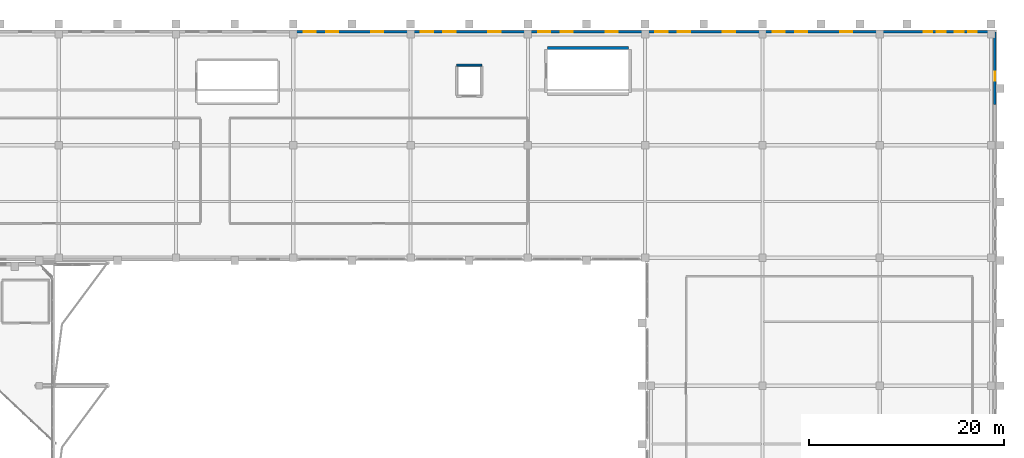
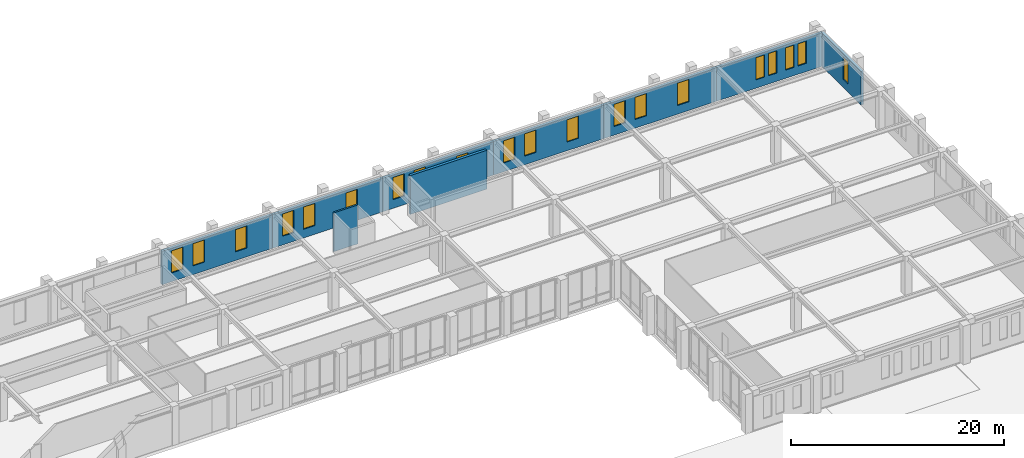
# One storey, part 67 of 79: 20 windows, 9 walls, 20 openings.
"""IFC4 building model written with IfcOpenShell, lengths in metres."""

from ifc_helpers import new_model, si_unit, derived_unit, direction, frame, frame_2d, origin, place, context, subcontext, project, spatial, rectangle, extrude, material, layer, layer_set, type_object, element, fill, save


model = new_model("IFC4")

# Units and contexts
model_context = context("Model", 3, precision=1e-05, world=origin(), true_north=direction((0.0, 1.0)))
body_context = subcontext(model_context, "Body", "Model", "MODEL_VIEW")
ifc_project = project(units=[si_unit("LENGTHUNIT", "METRE"), si_unit("AREAUNIT", "SQUARE_METRE"), si_unit("VOLUMEUNIT", "CUBIC_METRE"), si_unit("PLANEANGLEUNIT", "RADIAN"), si_unit("MASSUNIT", "GRAM", prefix="KILO"), derived_unit("THERMALTRANSMITTANCEUNIT", [(si_unit("MASSUNIT", "GRAM", prefix="KILO"), 1), (si_unit("TIMEUNIT", "SECOND"), -3), (si_unit("THERMODYNAMICTEMPERATUREUNIT", "KELVIN"), -1)])], contexts=[model_context])

# Site, building, storey
site_placement = place(None, origin())
site = spatial("IfcSite", under=ifc_project, at=site_placement, CompositionType="ELEMENT")
building_placement = place(site_placement, origin())
building = spatial("IfcBuilding", under=site, at=building_placement, Name="Valcora Ridge Arena", CompositionType="ELEMENT")
storey_placement = place(building_placement, frame((0.0, 0.0, 16.199951171875)))
storey = spatial("IfcBuildingStorey", under=building, at=storey_placement, Name="L03", CompositionType="ELEMENT", Elevation=16.199951171875)

# Wall, openings, windows
ifc_material_1 = material(Name="Bush-hammered Andean travertine on concrete backup C40/50", Category="masonry")
ifc_layer_1 = layer(ifc_material_1, 0.280029296875, Name="Bush-hammered Andean travertine on concrete backup C40/50")
ifc_layer_set_1 = layer_set([ifc_layer_1], Name="Bush-hammered Andean travertine on concrete backup C40/50")
wall_type_1 = type_object("IfcWallType", Name="TY-WALL-EW-TRV-28-38", PredefinedType="STANDARD", material=ifc_layer_set_1)
wall_1_placement = place(storey_placement, frame((120.0, 131.820068359375, 0.0), z_axis=(0.0, 0.0, 1.0), x_axis=(1.0, 0.0, 0.0)))
wall_1 = element("IfcWall", 1, at=wall_1_placement, inside=storey, type_object=wall_type_1, Name="EW-TRV-28-38 WAL-EW-0202", PredefinedType="STANDARD", context=body_context, shape_type="SweptSolid", body=[
    extrude(rectangle(XDim=12.0, YDim=0.280029296875, at=frame_2d((6.0, 0.0))), origin(), (0.0, 0.0, 1.0), 3.84814453125),
])
opening_1_placement = place(wall_1_placement, frame((1.050048828125, 0.0, 1.0)))
opening_1 = element("IfcOpeningElement", 2, at=opening_1_placement, cuts=wall_1, Name="Opening W-LAN-125X255", PredefinedType="OPENING", context=body_context, shape_type="SweptSolid", body=[
    extrude(rectangle(XDim=1.25, YDim=2.550048828125, at=frame_2d((0.625, 1.27490234375))), frame((0.0, 0.14990234375, 0.0), z_axis=(0.0, -1.0, 0.0), x_axis=(1.0, 0.0, 0.0)), (0.0, 0.0, 1.0), 0.300048828125),
])
opening_2_placement = place(wall_1_placement, frame((3.35009765625, 0.0, 1.0)))
opening_2 = element("IfcOpeningElement", 3, at=opening_2_placement, cuts=wall_1, Name="Opening W-LAN-125X255", PredefinedType="OPENING", context=body_context, shape_type="SweptSolid", body=[
    extrude(rectangle(XDim=1.25, YDim=2.550048828125, at=frame_2d((0.625, 1.27490234375))), frame((0.0, 0.14990234375, 0.0), z_axis=(0.0, -1.0, 0.0), x_axis=(1.0, 0.0, 0.0)), (0.0, 0.0, 1.0), 0.300048828125),
])
opening_3_placement = place(wall_1_placement, frame((7.949951171875, 0.0, 1.0)))
opening_3 = element("IfcOpeningElement", 4, at=opening_3_placement, cuts=wall_1, Name="Opening W-LAN-125X255", PredefinedType="OPENING", context=body_context, shape_type="SweptSolid", body=[
    extrude(rectangle(XDim=1.25, YDim=2.550048828125, at=frame_2d((0.625, 1.27490234375))), frame((0.0, 0.14990234375, 0.0), z_axis=(0.0, -1.0, 0.0), x_axis=(1.0, 0.0, 0.0)), (0.0, 0.0, 1.0), 0.300048828125),
])
ifc_material_2 = material(Name="Low-iron solar-control double glazing SHGC 0.28", Category="glass")
window_type_1 = type_object("IfcWindowType", Name="TY-WINDOW-W-LAN-125X255", PartitioningType="DOUBLE_PANEL_VERTICAL", PredefinedType="WINDOW", material=ifc_material_2)
window_1_placement = place(opening_1_placement, origin())
window_1 = element("IfcWindow", 5, at=window_1_placement, inside=storey, type_object=window_type_1, Name="W-LAN-125X255 WIN-EX-0608", OverallHeight=2.550048828125, OverallWidth=1.25, PartitioningType="DOUBLE_PANEL_VERTICAL", PredefinedType="WINDOW", context=body_context, shape_type="SweptSolid", body=[
    extrude(rectangle(XDim=1.25, YDim=2.550048828125, at=frame_2d((0.625, 1.27490234375))), frame((0.0, 0.030029296875, 0.0), z_axis=(0.0, -1.0, 0.0), x_axis=(1.0, 0.0, 0.0)), (0.0, 0.0, 1.0), 0.06005859375),
])
fill(opening_1, window_1)
window_2_placement = place(opening_2_placement, origin())
window_2 = element("IfcWindow", 6, at=window_2_placement, inside=storey, type_object=window_type_1, Name="W-LAN-125X255 WIN-EX-0609", OverallHeight=2.550048828125, OverallWidth=1.25, PartitioningType="DOUBLE_PANEL_VERTICAL", PredefinedType="WINDOW", context=body_context, shape_type="SweptSolid", body=[
    extrude(rectangle(XDim=1.25, YDim=2.550048828125, at=frame_2d((0.625, 1.27490234375))), frame((0.0, 0.030029296875, 0.0), z_axis=(0.0, -1.0, 0.0), x_axis=(1.0, 0.0, 0.0)), (0.0, 0.0, 1.0), 0.06005859375),
])
fill(opening_2, window_2)
window_3_placement = place(opening_3_placement, origin())
window_3 = element("IfcWindow", 7, at=window_3_placement, inside=storey, type_object=window_type_1, Name="W-LAN-125X255 WIN-EX-0610", OverallHeight=2.550048828125, OverallWidth=1.25, PartitioningType="DOUBLE_PANEL_VERTICAL", PredefinedType="WINDOW", context=body_context, shape_type="SweptSolid", body=[
    extrude(rectangle(XDim=1.25, YDim=2.550048828125, at=frame_2d((0.625, 1.27490234375))), frame((0.0, 0.030029296875, 0.0), z_axis=(0.0, -1.0, 0.0), x_axis=(1.0, 0.0, 0.0)), (0.0, 0.0, 1.0), 0.06005859375),
])
fill(opening_3, window_3)

wall_2_placement = place(storey_placement, frame((132.0, 131.820068359375, 0.0), z_axis=(0.0, 0.0, 1.0), x_axis=(1.0, 0.0, 0.0)))
wall_2 = element("IfcWall", 8, at=wall_2_placement, inside=storey, type_object=wall_type_1, Name="EW-TRV-28-38 WAL-EW-0203", PredefinedType="STANDARD", context=body_context, shape_type="SweptSolid", body=[
    extrude(rectangle(XDim=12.0, YDim=0.280029296875, at=frame_2d((6.0, 0.0))), origin(), (0.0, 0.0, 1.0), 3.84814453125),
])
opening_4_placement = place(wall_2_placement, frame((1.050048828125, 0.0, 1.0)))
opening_4 = element("IfcOpeningElement", 9, at=opening_4_placement, cuts=wall_2, Name="Opening W-LAN-125X255", PredefinedType="OPENING", context=body_context, shape_type="SweptSolid", body=[
    extrude(rectangle(XDim=1.25, YDim=2.550048828125, at=frame_2d((0.625, 1.27490234375))), frame((0.0, 0.14990234375, 0.0), z_axis=(0.0, -1.0, 0.0), x_axis=(1.0, 0.0, 0.0)), (0.0, 0.0, 1.0), 0.300048828125),
])
opening_5_placement = place(wall_2_placement, frame((3.35009765625, 0.0, 1.0)))
opening_5 = element("IfcOpeningElement", 10, at=opening_5_placement, cuts=wall_2, Name="Opening W-LAN-125X255", PredefinedType="OPENING", context=body_context, shape_type="SweptSolid", body=[
    extrude(rectangle(XDim=1.25, YDim=2.550048828125, at=frame_2d((0.625, 1.27490234375))), frame((0.0, 0.14990234375, 0.0), z_axis=(0.0, -1.0, 0.0), x_axis=(1.0, 0.0, 0.0)), (0.0, 0.0, 1.0), 0.300048828125),
])
opening_6_placement = place(wall_2_placement, frame((7.949951171875, 0.0, 1.0)))
opening_6 = element("IfcOpeningElement", 11, at=opening_6_placement, cuts=wall_2, Name="Opening W-LAN-125X255", PredefinedType="OPENING", context=body_context, shape_type="SweptSolid", body=[
    extrude(rectangle(XDim=1.25, YDim=2.550048828125, at=frame_2d((0.625, 1.27490234375))), frame((0.0, 0.14990234375, 0.0), z_axis=(0.0, -1.0, 0.0), x_axis=(1.0, 0.0, 0.0)), (0.0, 0.0, 1.0), 0.300048828125),
])
window_4_placement = place(opening_4_placement, origin())
window_4 = element("IfcWindow", 12, at=window_4_placement, inside=storey, type_object=window_type_1, Name="W-LAN-125X255 WIN-EX-0611", OverallHeight=2.550048828125, OverallWidth=1.25, PartitioningType="DOUBLE_PANEL_VERTICAL", PredefinedType="WINDOW", context=body_context, shape_type="SweptSolid", body=[
    extrude(rectangle(XDim=1.25, YDim=2.550048828125, at=frame_2d((0.625, 1.27490234375))), frame((0.0, 0.030029296875, 0.0), z_axis=(0.0, -1.0, 0.0), x_axis=(1.0, 0.0, 0.0)), (0.0, 0.0, 1.0), 0.06005859375),
])
fill(opening_4, window_4)
window_5_placement = place(opening_5_placement, origin())
window_5 = element("IfcWindow", 13, at=window_5_placement, inside=storey, type_object=window_type_1, Name="W-LAN-125X255 WIN-EX-0612", OverallHeight=2.550048828125, OverallWidth=1.25, PartitioningType="DOUBLE_PANEL_VERTICAL", PredefinedType="WINDOW", context=body_context, shape_type="SweptSolid", body=[
    extrude(rectangle(XDim=1.25, YDim=2.550048828125, at=frame_2d((0.625, 1.27490234375))), frame((0.0, 0.030029296875, 0.0), z_axis=(0.0, -1.0, 0.0), x_axis=(1.0, 0.0, 0.0)), (0.0, 0.0, 1.0), 0.06005859375),
])
fill(opening_5, window_5)
window_6_placement = place(opening_6_placement, origin())
window_6 = element("IfcWindow", 14, at=window_6_placement, inside=storey, type_object=window_type_1, Name="W-LAN-125X255 WIN-EX-0613", OverallHeight=2.550048828125, OverallWidth=1.25, PartitioningType="DOUBLE_PANEL_VERTICAL", PredefinedType="WINDOW", context=body_context, shape_type="SweptSolid", body=[
    extrude(rectangle(XDim=1.25, YDim=2.550048828125, at=frame_2d((0.625, 1.27490234375))), frame((0.0, 0.030029296875, 0.0), z_axis=(0.0, -1.0, 0.0), x_axis=(1.0, 0.0, 0.0)), (0.0, 0.0, 1.0), 0.06005859375),
])
fill(opening_6, window_6)

wall_3_placement = place(storey_placement, frame((144.0, 131.820068359375, 0.0), z_axis=(0.0, 0.0, 1.0), x_axis=(1.0, 0.0, 0.0)))
wall_3 = element("IfcWall", 15, at=wall_3_placement, inside=storey, type_object=wall_type_1, Name="EW-TRV-28-38 WAL-EW-0204", PredefinedType="STANDARD", context=body_context, shape_type="SweptSolid", body=[
    extrude(rectangle(XDim=12.0, YDim=0.280029296875, at=frame_2d((6.0, 0.0))), origin(), (0.0, 0.0, 1.0), 3.84814453125),
])
opening_7_placement = place(wall_3_placement, frame((1.050048828125, 0.0, 1.0)))
opening_7 = element("IfcOpeningElement", 16, at=opening_7_placement, cuts=wall_3, Name="Opening W-LAN-125X255", PredefinedType="OPENING", context=body_context, shape_type="SweptSolid", body=[
    extrude(rectangle(XDim=1.25, YDim=2.550048828125, at=frame_2d((0.625, 1.27490234375))), frame((0.0, 0.14990234375, 0.0), z_axis=(0.0, -1.0, 0.0), x_axis=(1.0, 0.0, 0.0)), (0.0, 0.0, 1.0), 0.300048828125),
])
opening_8_placement = place(wall_3_placement, frame((3.35009765625, 0.0, 1.0)))
opening_8 = element("IfcOpeningElement", 17, at=opening_8_placement, cuts=wall_3, Name="Opening W-LAN-125X255", PredefinedType="OPENING", context=body_context, shape_type="SweptSolid", body=[
    extrude(rectangle(XDim=1.25, YDim=2.550048828125, at=frame_2d((0.625, 1.27490234375))), frame((0.0, 0.14990234375, 0.0), z_axis=(0.0, -1.0, 0.0), x_axis=(1.0, 0.0, 0.0)), (0.0, 0.0, 1.0), 0.300048828125),
])
opening_9_placement = place(wall_3_placement, frame((7.949951171875, 0.0, 1.0)))
opening_9 = element("IfcOpeningElement", 18, at=opening_9_placement, cuts=wall_3, Name="Opening W-LAN-125X255", PredefinedType="OPENING", context=body_context, shape_type="SweptSolid", body=[
    extrude(rectangle(XDim=1.25, YDim=2.550048828125, at=frame_2d((0.625, 1.27490234375))), frame((0.0, 0.14990234375, 0.0), z_axis=(0.0, -1.0, 0.0), x_axis=(1.0, 0.0, 0.0)), (0.0, 0.0, 1.0), 0.300048828125),
])
window_7_placement = place(opening_7_placement, origin())
window_7 = element("IfcWindow", 19, at=window_7_placement, inside=storey, type_object=window_type_1, Name="W-LAN-125X255 WIN-EX-0614", OverallHeight=2.550048828125, OverallWidth=1.25, PartitioningType="DOUBLE_PANEL_VERTICAL", PredefinedType="WINDOW", context=body_context, shape_type="SweptSolid", body=[
    extrude(rectangle(XDim=1.25, YDim=2.550048828125, at=frame_2d((0.625, 1.27490234375))), frame((0.0, 0.030029296875, 0.0), z_axis=(0.0, -1.0, 0.0), x_axis=(1.0, 0.0, 0.0)), (0.0, 0.0, 1.0), 0.06005859375),
])
fill(opening_7, window_7)
window_8_placement = place(opening_8_placement, origin())
window_8 = element("IfcWindow", 20, at=window_8_placement, inside=storey, type_object=window_type_1, Name="W-LAN-125X255 WIN-EX-0615", OverallHeight=2.550048828125, OverallWidth=1.25, PartitioningType="DOUBLE_PANEL_VERTICAL", PredefinedType="WINDOW", context=body_context, shape_type="SweptSolid", body=[
    extrude(rectangle(XDim=1.25, YDim=2.550048828125, at=frame_2d((0.625, 1.27490234375))), frame((0.0, 0.030029296875, 0.0), z_axis=(0.0, -1.0, 0.0), x_axis=(1.0, 0.0, 0.0)), (0.0, 0.0, 1.0), 0.06005859375),
])
fill(opening_8, window_8)
window_9_placement = place(opening_9_placement, origin())
window_9 = element("IfcWindow", 21, at=window_9_placement, inside=storey, type_object=window_type_1, Name="W-LAN-125X255 WIN-EX-0616", OverallHeight=2.550048828125, OverallWidth=1.25, PartitioningType="DOUBLE_PANEL_VERTICAL", PredefinedType="WINDOW", context=body_context, shape_type="SweptSolid", body=[
    extrude(rectangle(XDim=1.25, YDim=2.550048828125, at=frame_2d((0.625, 1.27490234375))), frame((0.0, 0.030029296875, 0.0), z_axis=(0.0, -1.0, 0.0), x_axis=(1.0, 0.0, 0.0)), (0.0, 0.0, 1.0), 0.06005859375),
])
fill(opening_9, window_9)

wall_4_placement = place(storey_placement, frame((156.0, 131.820068359375, 0.0), z_axis=(0.0, 0.0, 1.0), x_axis=(1.0, 0.0, 0.0)))
wall_4 = element("IfcWall", 22, at=wall_4_placement, inside=storey, type_object=wall_type_1, Name="EW-TRV-28-38 WAL-EW-0205", PredefinedType="STANDARD", context=body_context, shape_type="SweptSolid", body=[
    extrude(rectangle(XDim=12.0, YDim=0.280029296875, at=frame_2d((6.0, 0.0))), origin(), (0.0, 0.0, 1.0), 3.84814453125),
])
opening_10_placement = place(wall_4_placement, frame((1.050048828125, 0.0, 1.0)))
opening_10 = element("IfcOpeningElement", 23, at=opening_10_placement, cuts=wall_4, Name="Opening W-LAN-125X255", PredefinedType="OPENING", context=body_context, shape_type="SweptSolid", body=[
    extrude(rectangle(XDim=1.25, YDim=2.550048828125, at=frame_2d((0.625, 1.27490234375))), frame((0.0, 0.14990234375, 0.0), z_axis=(0.0, -1.0, 0.0), x_axis=(1.0, 0.0, 0.0)), (0.0, 0.0, 1.0), 0.300048828125),
])
opening_11_placement = place(wall_4_placement, frame((3.35009765625, 0.0, 1.0)))
opening_11 = element("IfcOpeningElement", 24, at=opening_11_placement, cuts=wall_4, Name="Opening W-LAN-125X255", PredefinedType="OPENING", context=body_context, shape_type="SweptSolid", body=[
    extrude(rectangle(XDim=1.25, YDim=2.550048828125, at=frame_2d((0.625, 1.27490234375))), frame((0.0, 0.14990234375, 0.0), z_axis=(0.0, -1.0, 0.0), x_axis=(1.0, 0.0, 0.0)), (0.0, 0.0, 1.0), 0.300048828125),
])
opening_12_placement = place(wall_4_placement, frame((7.949951171875, 0.0, 1.0)))
opening_12 = element("IfcOpeningElement", 25, at=opening_12_placement, cuts=wall_4, Name="Opening W-LAN-125X255", PredefinedType="OPENING", context=body_context, shape_type="SweptSolid", body=[
    extrude(rectangle(XDim=1.25, YDim=2.550048828125, at=frame_2d((0.625, 1.27490234375))), frame((0.0, 0.14990234375, 0.0), z_axis=(0.0, -1.0, 0.0), x_axis=(1.0, 0.0, 0.0)), (0.0, 0.0, 1.0), 0.300048828125),
])
window_10_placement = place(opening_10_placement, origin())
window_10 = element("IfcWindow", 26, at=window_10_placement, inside=storey, type_object=window_type_1, Name="W-LAN-125X255 WIN-EX-0617", OverallHeight=2.550048828125, OverallWidth=1.25, PartitioningType="DOUBLE_PANEL_VERTICAL", PredefinedType="WINDOW", context=body_context, shape_type="SweptSolid", body=[
    extrude(rectangle(XDim=1.25, YDim=2.550048828125, at=frame_2d((0.625, 1.27490234375))), frame((0.0, 0.030029296875, 0.0), z_axis=(0.0, -1.0, 0.0), x_axis=(1.0, 0.0, 0.0)), (0.0, 0.0, 1.0), 0.06005859375),
])
fill(opening_10, window_10)
window_11_placement = place(opening_11_placement, origin())
window_11 = element("IfcWindow", 27, at=window_11_placement, inside=storey, type_object=window_type_1, Name="W-LAN-125X255 WIN-EX-0618", OverallHeight=2.550048828125, OverallWidth=1.25, PartitioningType="DOUBLE_PANEL_VERTICAL", PredefinedType="WINDOW", context=body_context, shape_type="SweptSolid", body=[
    extrude(rectangle(XDim=1.25, YDim=2.550048828125, at=frame_2d((0.625, 1.27490234375))), frame((0.0, 0.030029296875, 0.0), z_axis=(0.0, -1.0, 0.0), x_axis=(1.0, 0.0, 0.0)), (0.0, 0.0, 1.0), 0.06005859375),
])
fill(opening_11, window_11)
window_12_placement = place(opening_12_placement, origin())
window_12 = element("IfcWindow", 28, at=window_12_placement, inside=storey, type_object=window_type_1, Name="W-LAN-125X255 WIN-EX-0619", OverallHeight=2.550048828125, OverallWidth=1.25, PartitioningType="DOUBLE_PANEL_VERTICAL", PredefinedType="WINDOW", context=body_context, shape_type="SweptSolid", body=[
    extrude(rectangle(XDim=1.25, YDim=2.550048828125, at=frame_2d((0.625, 1.27490234375))), frame((0.0, 0.030029296875, 0.0), z_axis=(0.0, -1.0, 0.0), x_axis=(1.0, 0.0, 0.0)), (0.0, 0.0, 1.0), 0.06005859375),
])
fill(opening_12, window_12)

wall_5_placement = place(storey_placement, frame((168.0, 131.820068359375, 0.0), z_axis=(0.0, 0.0, 1.0), x_axis=(1.0, 0.0, 0.0)))
wall_5 = element("IfcWall", 29, at=wall_5_placement, inside=storey, type_object=wall_type_1, Name="EW-TRV-28-38 WAL-EW-0206", PredefinedType="STANDARD", context=body_context, shape_type="SweptSolid", body=[
    extrude(rectangle(XDim=12.199951171875, YDim=0.280029296875, at=frame_2d((6.10009765625, 0.0))), origin(), (0.0, 0.0, 1.0), 3.84814453125),
])
opening_13_placement = place(wall_5_placement, frame((1.050048828125, 0.0, 1.0)))
opening_13 = element("IfcOpeningElement", 30, at=opening_13_placement, cuts=wall_5, Name="Opening W-LAN-125X255", PredefinedType="OPENING", context=body_context, shape_type="SweptSolid", body=[
    extrude(rectangle(XDim=1.25, YDim=2.550048828125, at=frame_2d((0.625, 1.27490234375))), frame((0.0, 0.14990234375, 0.0), z_axis=(0.0, -1.0, 0.0), x_axis=(1.0, 0.0, 0.0)), (0.0, 0.0, 1.0), 0.300048828125),
])
opening_14_placement = place(wall_5_placement, frame((3.35009765625, 0.0, 1.0)))
opening_14 = element("IfcOpeningElement", 31, at=opening_14_placement, cuts=wall_5, Name="Opening W-LAN-125X255", PredefinedType="OPENING", context=body_context, shape_type="SweptSolid", body=[
    extrude(rectangle(XDim=1.25, YDim=2.550048828125, at=frame_2d((0.625, 1.27490234375))), frame((0.0, 0.14990234375, 0.0), z_axis=(0.0, -1.0, 0.0), x_axis=(1.0, 0.0, 0.0)), (0.0, 0.0, 1.0), 0.300048828125),
])
opening_15_placement = place(wall_5_placement, frame((7.949951171875, 0.0, 1.0)))
opening_15 = element("IfcOpeningElement", 32, at=opening_15_placement, cuts=wall_5, Name="Opening W-LAN-125X255", PredefinedType="OPENING", context=body_context, shape_type="SweptSolid", body=[
    extrude(rectangle(XDim=1.25, YDim=2.550048828125, at=frame_2d((0.625, 1.27490234375))), frame((0.0, 0.14990234375, 0.0), z_axis=(0.0, -1.0, 0.0), x_axis=(1.0, 0.0, 0.0)), (0.0, 0.0, 1.0), 0.300048828125),
])
window_13_placement = place(opening_13_placement, origin())
window_13 = element("IfcWindow", 33, at=window_13_placement, inside=storey, type_object=window_type_1, Name="W-LAN-125X255 WIN-EX-0620", OverallHeight=2.550048828125, OverallWidth=1.25, PartitioningType="DOUBLE_PANEL_VERTICAL", PredefinedType="WINDOW", context=body_context, shape_type="SweptSolid", body=[
    extrude(rectangle(XDim=1.25, YDim=2.550048828125, at=frame_2d((0.625, 1.27490234375))), frame((0.0, 0.030029296875, 0.0), z_axis=(0.0, -1.0, 0.0), x_axis=(1.0, 0.0, 0.0)), (0.0, 0.0, 1.0), 0.06005859375),
])
fill(opening_13, window_13)
window_14_placement = place(opening_14_placement, origin())
window_14 = element("IfcWindow", 34, at=window_14_placement, inside=storey, type_object=window_type_1, Name="W-LAN-125X255 WIN-EX-0621", OverallHeight=2.550048828125, OverallWidth=1.25, PartitioningType="DOUBLE_PANEL_VERTICAL", PredefinedType="WINDOW", context=body_context, shape_type="SweptSolid", body=[
    extrude(rectangle(XDim=1.25, YDim=2.550048828125, at=frame_2d((0.625, 1.27490234375))), frame((0.0, 0.030029296875, 0.0), z_axis=(0.0, -1.0, 0.0), x_axis=(1.0, 0.0, 0.0)), (0.0, 0.0, 1.0), 0.06005859375),
])
fill(opening_14, window_14)
window_15_placement = place(opening_15_placement, origin())
window_15 = element("IfcWindow", 35, at=window_15_placement, inside=storey, type_object=window_type_1, Name="W-LAN-125X255 WIN-EX-0622", OverallHeight=2.550048828125, OverallWidth=1.25, PartitioningType="DOUBLE_PANEL_VERTICAL", PredefinedType="WINDOW", context=body_context, shape_type="SweptSolid", body=[
    extrude(rectangle(XDim=1.25, YDim=2.550048828125, at=frame_2d((0.625, 1.27490234375))), frame((0.0, 0.030029296875, 0.0), z_axis=(0.0, -1.0, 0.0), x_axis=(1.0, 0.0, 0.0)), (0.0, 0.0, 1.0), 0.06005859375),
])
fill(opening_15, window_15)

wall_6_placement = place(storey_placement, frame((180.199951171875, 131.820068359375, 0.0), z_axis=(0.0, 0.0, 1.0), x_axis=(1.0, 0.0, 0.0)))
wall_6 = element("IfcWall", 36, at=wall_6_placement, inside=storey, type_object=wall_type_1, Name="EW-TRV-28-38 WAL-EW-0207", PredefinedType="STANDARD", context=body_context, shape_type="SweptSolid", body=[
    extrude(rectangle(XDim=11.580078125, YDim=0.280029296875, at=frame_2d((5.7900390625, 0.0))), origin(), (0.0, 0.0, 1.0), 3.84814453125),
])
opening_16_placement = place(wall_6_placement, frame((4.300048828125, 0.0, 0.949951171875)))
opening_16 = element("IfcOpeningElement", 37, at=opening_16_placement, cuts=wall_6, Name="Opening W-GLAN-90X255", PredefinedType="OPENING", context=body_context, shape_type="SweptSolid", body=[
    extrude(rectangle(XDim=0.89990234375, YDim=2.550048828125, at=frame_2d((0.449951171875, 1.27490234375))), frame((0.0, 0.14990234375, 0.0), z_axis=(0.0, -1.0, 0.0), x_axis=(1.0, 0.0, 0.0)), (0.0, 0.0, 1.0), 0.300048828125),
])
opening_17_placement = place(wall_6_placement, frame((5.64990234375, 0.0, 0.949951171875)))
opening_17 = element("IfcOpeningElement", 38, at=opening_17_placement, cuts=wall_6, Name="Opening W-GLAN-90X255", PredefinedType="OPENING", context=body_context, shape_type="SweptSolid", body=[
    extrude(rectangle(XDim=0.89990234375, YDim=2.550048828125, at=frame_2d((0.449951171875, 1.27490234375))), frame((0.0, 0.14990234375, 0.0), z_axis=(0.0, -1.0, 0.0), x_axis=(1.0, 0.0, 0.0)), (0.0, 0.0, 1.0), 0.300048828125),
])
opening_18_placement = place(wall_6_placement, frame((7.5, 0.0, 0.949951171875)))
opening_18 = element("IfcOpeningElement", 39, at=opening_18_placement, cuts=wall_6, Name="Opening W-GLAN-90X255", PredefinedType="OPENING", context=body_context, shape_type="SweptSolid", body=[
    extrude(rectangle(XDim=0.89990234375, YDim=2.550048828125, at=frame_2d((0.449951171875, 1.27490234375))), frame((0.0, 0.14990234375, 0.0), z_axis=(0.0, -1.0, 0.0), x_axis=(1.0, 0.0, 0.0)), (0.0, 0.0, 1.0), 0.300048828125),
])
opening_19_placement = place(wall_6_placement, frame((8.85009765625, 0.0, 0.949951171875)))
opening_19 = element("IfcOpeningElement", 40, at=opening_19_placement, cuts=wall_6, Name="Opening W-GLAN-90X255", PredefinedType="OPENING", context=body_context, shape_type="SweptSolid", body=[
    extrude(rectangle(XDim=0.89990234375, YDim=2.550048828125, at=frame_2d((0.449951171875, 1.27490234375))), frame((0.0, 0.14990234375, 0.0), z_axis=(0.0, -1.0, 0.0), x_axis=(1.0, 0.0, 0.0)), (0.0, 0.0, 1.0), 0.300048828125),
])
window_type_2 = type_object("IfcWindowType", Name="TY-WINDOW-W-GLAN-90X255", PartitioningType="DOUBLE_PANEL_VERTICAL", PredefinedType="WINDOW", material=ifc_material_2)
window_16_placement = place(opening_16_placement, origin())
window_16 = element("IfcWindow", 41, at=window_16_placement, inside=storey, type_object=window_type_2, Name="W-GLAN-90X255 WIN-EX-0623", OverallHeight=2.550048828125, OverallWidth=0.89990234375, PartitioningType="DOUBLE_PANEL_VERTICAL", PredefinedType="WINDOW", context=body_context, shape_type="SweptSolid", body=[
    extrude(rectangle(XDim=0.89990234375, YDim=2.550048828125, at=frame_2d((0.449951171875, 1.27490234375))), frame((0.0, 0.030029296875, 0.0), z_axis=(0.0, -1.0, 0.0), x_axis=(1.0, 0.0, 0.0)), (0.0, 0.0, 1.0), 0.06005859375),
])
fill(opening_16, window_16)
window_17_placement = place(opening_17_placement, origin())
window_17 = element("IfcWindow", 42, at=window_17_placement, inside=storey, type_object=window_type_2, Name="W-GLAN-90X255 WIN-EX-0624", OverallHeight=2.550048828125, OverallWidth=0.89990234375, PartitioningType="DOUBLE_PANEL_VERTICAL", PredefinedType="WINDOW", context=body_context, shape_type="SweptSolid", body=[
    extrude(rectangle(XDim=0.89990234375, YDim=2.550048828125, at=frame_2d((0.449951171875, 1.27490234375))), frame((0.0, 0.030029296875, 0.0), z_axis=(0.0, -1.0, 0.0), x_axis=(1.0, 0.0, 0.0)), (0.0, 0.0, 1.0), 0.06005859375),
])
fill(opening_17, window_17)
window_18_placement = place(opening_18_placement, origin())
window_18 = element("IfcWindow", 43, at=window_18_placement, inside=storey, type_object=window_type_2, Name="W-GLAN-90X255 WIN-EX-0625", OverallHeight=2.550048828125, OverallWidth=0.89990234375, PartitioningType="DOUBLE_PANEL_VERTICAL", PredefinedType="WINDOW", context=body_context, shape_type="SweptSolid", body=[
    extrude(rectangle(XDim=0.89990234375, YDim=2.550048828125, at=frame_2d((0.449951171875, 1.27490234375))), frame((0.0, 0.030029296875, 0.0), z_axis=(0.0, -1.0, 0.0), x_axis=(1.0, 0.0, 0.0)), (0.0, 0.0, 1.0), 0.06005859375),
])
fill(opening_18, window_18)
window_19_placement = place(opening_19_placement, origin())
window_19 = element("IfcWindow", 44, at=window_19_placement, inside=storey, type_object=window_type_2, Name="W-GLAN-90X255 WIN-EX-0626", OverallHeight=2.550048828125, OverallWidth=0.89990234375, PartitioningType="DOUBLE_PANEL_VERTICAL", PredefinedType="WINDOW", context=body_context, shape_type="SweptSolid", body=[
    extrude(rectangle(XDim=0.89990234375, YDim=2.550048828125, at=frame_2d((0.449951171875, 1.27490234375))), frame((0.0, 0.030029296875, 0.0), z_axis=(0.0, -1.0, 0.0), x_axis=(1.0, 0.0, 0.0)), (0.0, 0.0, 1.0), 0.06005859375),
])
fill(opening_19, window_19)

# Wall, opening, window
wall_7_placement = place(storey_placement, frame((191.780029296875, 124.35009765625, 0.0), z_axis=(0.0, 0.0, 1.0), x_axis=(0.0, 1.0, 0.0)))
wall_7 = element("IfcWall", 45, at=wall_7_placement, inside=storey, type_object=wall_type_1, Name="EW-TRV-28-38 WAL-EW-0212", PredefinedType="STANDARD", context=body_context, shape_type="SweptSolid", body=[
    extrude(rectangle(XDim=7.449951171875, YDim=0.280029296875, at=frame_2d((3.72509765625, 0.0))), origin(), (0.0, 0.0, 1.0), 3.84814453125),
])
opening_20_placement = place(wall_7_placement, frame((2.449951171875, 0.0, 0.949951171875)))
opening_20 = element("IfcOpeningElement", 46, at=opening_20_placement, cuts=wall_7, Name="Opening W-GLAN-90X255", PredefinedType="OPENING", context=body_context, shape_type="SweptSolid", body=[
    extrude(rectangle(XDim=0.89990234375, YDim=2.550048828125, at=frame_2d((0.449951171875, 1.27490234375))), frame((0.0, 0.14990234375, 0.0), z_axis=(0.0, -1.0, 0.0), x_axis=(1.0, 0.0, 0.0)), (0.0, 0.0, 1.0), 0.300048828125),
])
window_20_placement = place(opening_20_placement, origin())
window_20 = element("IfcWindow", 47, at=window_20_placement, inside=storey, type_object=window_type_2, Name="W-GLAN-90X255 WIN-EX-0642", OverallHeight=2.550048828125, OverallWidth=0.89990234375, PartitioningType="DOUBLE_PANEL_VERTICAL", PredefinedType="WINDOW", context=body_context, shape_type="SweptSolid", body=[
    extrude(rectangle(XDim=0.89990234375, YDim=2.550048828125, at=frame_2d((0.449951171875, 1.27490234375))), frame((0.0, 0.030029296875, 0.0), z_axis=(0.0, -1.0, 0.0), x_axis=(1.0, 0.0, 0.0)), (0.0, 0.0, 1.0), 0.06005859375),
])
fill(opening_20, window_20)

# Walls
ifc_material_3 = material(Name="Concrete C40/50", Category="concrete")
ifc_layer_2 = layer(ifc_material_3, 0.199951171875, Name="Concrete C40/50")
ifc_layer_set_2 = layer_set([ifc_layer_2], Name="Concrete C40/50")
wall_type_2 = type_object("IfcWallType", Name="TY-WALL-IW-SHF-200", PredefinedType="STANDARD", material=ifc_layer_set_2)
wall_8_placement = place(storey_placement, frame((136.699951171875, 128.39990234375, 0.0), z_axis=(0.0, 0.0, 1.0), x_axis=(1.0, 0.0, 0.0)))
element("IfcWall", 48, at=wall_8_placement, inside=storey, type_object=wall_type_2, Name="IW-SHF-200 WAL-SH-0282", PredefinedType="STANDARD", context=body_context, shape_type="SweptSolid", body=[
    extrude(rectangle(XDim=2.60009765625, YDim=0.199951171875, at=frame_2d((1.300048828125, 0.0))), origin(), (0.0, 0.0, 1.0), 4.4599609375),
])
ifc_material_4 = material(Name="Concrete C45/55", Category="concrete")
ifc_layer_3 = layer(ifc_material_4, 0.300048828125, Name="Concrete C45/55")
ifc_layer_set_3 = layer_set([ifc_layer_3], Name="Concrete C45/55")
wall_type_3 = type_object("IfcWallType", Name="TY-WALL-SW-C300-L", PredefinedType="SHEAR", material=ifc_layer_set_3)
wall_9_placement = place(storey_placement, frame((146.0, 130.14990234375, 0.0), z_axis=(0.0, 0.0, 1.0), x_axis=(1.0, 0.0, 0.0)))
element("IfcWall", 49, at=wall_9_placement, inside=storey, type_object=wall_type_3, Name="SW-C300-L WAL-CR-0214", PredefinedType="SHEAR", context=body_context, shape_type="SweptSolid", body=[
    extrude(rectangle(XDim=8.320068359375, YDim=0.300048828125, at=frame_2d((4.16015625, 0.0))), origin(), (0.0, 0.0, 1.0), 4.4599609375),
])

save(model, "model.ifc")
